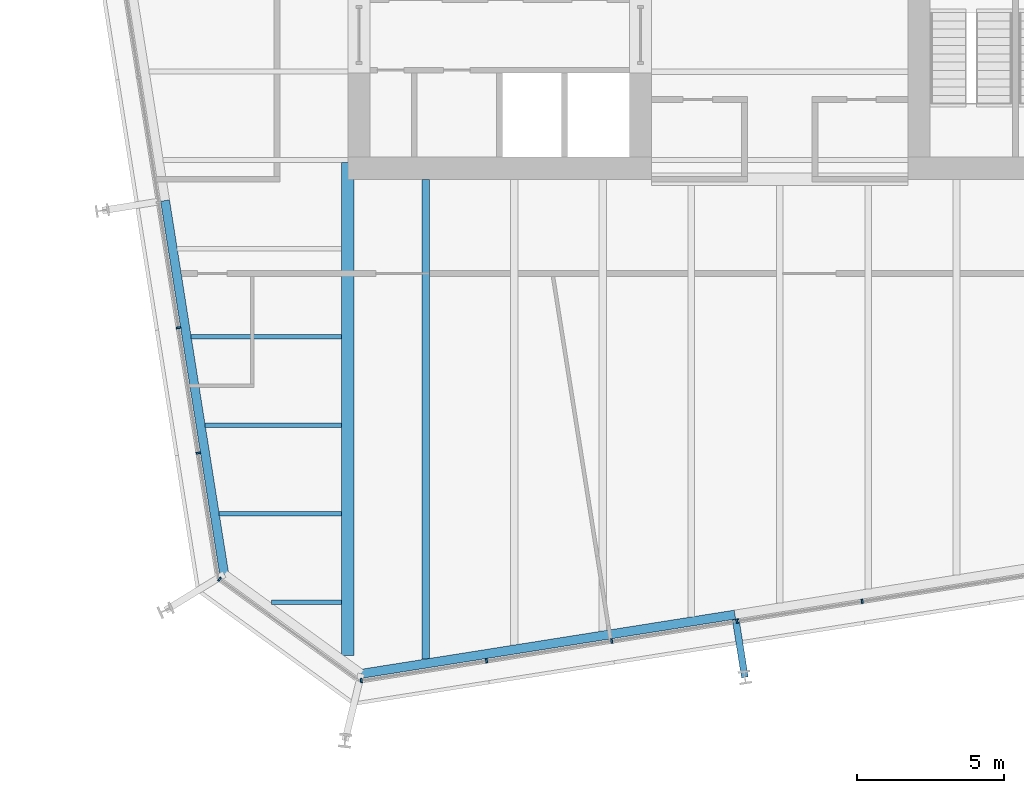
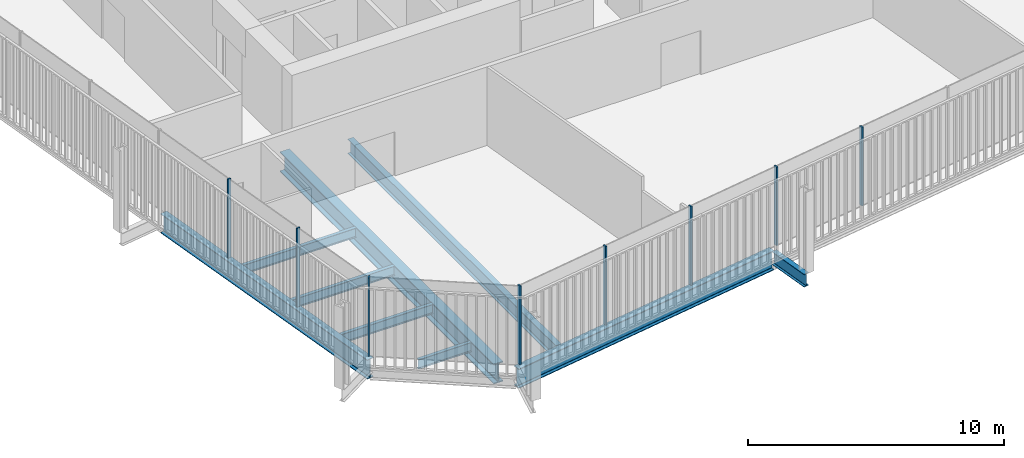
# One storey, part 2 of 21: 9 beams, 8 members, 3 elements without a shape of their own.
"""IFC4 building model written with IfcOpenShell, lengths in metres."""

import ifcopenshell
import ifcopenshell.guid

model = None  # the IFC model being written
_history = None  # IfcOwnerHistory: only IFC2X3 demands one
_inside = {}  # id of a spatial element -> (the spatial element, [elements in it])
_under = {}  # id of a project, library or spatial element -> (it, [spatial elements below it])
_declared = {}  # id of a project -> (the project, [libraries it declares])
_typed = {}  # id of a type object -> (the type object, [elements of that type])
_made_of = {}  # id of a material, layer set ... -> (it, [elements and type objects made of it])


def new_model(schema):
    """Start an empty IFC model of exactly this schema.

    Asked for "IFC4X3", IfcOpenShell would pick the latest addendum, in which some entities
    have other attributes; the version numbers below select the first issue.
    IFC2X3 requires an IfcOwnerHistory on every rooted entity: one is made here for all.
    """
    global model, _history
    if schema == "IFC4X3":
        model = ifcopenshell.file(schema_version=(4, 3, 0, 0))
    else:
        model = ifcopenshell.file(schema=schema)
    _inside.clear()
    _under.clear()
    _declared.clear()
    _typed.clear()
    _made_of.clear()
    _history = None
    if model.schema == "IFC2X3":
        org = make("IfcOrganization", Name="unknown")
        user = make(
            "IfcPersonAndOrganization",
            ThePerson=make("IfcPerson", FamilyName="unknown"),
            TheOrganization=org,
        )
        app = make(
            "IfcApplication",
            ApplicationDeveloper=org,
            Version="unknown",
            ApplicationFullName="unknown",
            ApplicationIdentifier="unknown",
        )
        _history = make(
            "IfcOwnerHistory",
            OwningUser=user,
            OwningApplication=app,
            ChangeAction="ADDED",
            CreationDate=0,
        )
    return model


def make(cls, **values):
    """One entity of the class cls with the attributes given. An attribute that is None is left unset."""
    return model.create_entity(
        cls, **{name: value for name, value in values.items() if value is not None}
    )


def rooted(cls, **values):
    """An entity with a GlobalId (a new one), such as an element, a storey or a relation."""
    return make(cls, GlobalId=ifcopenshell.guid.new(), OwnerHistory=_history, **values)


def si_unit(unit_type, name, prefix=None):
    """IfcSIUnit, for example si_unit("LENGTHUNIT", "METRE", prefix="MILLI")."""
    return make("IfcSIUnit", UnitType=unit_type, Prefix=prefix, Name=name)


def assignment(units):
    """IfcUnitAssignment: the units of a project."""
    return None if units is None else make("IfcUnitAssignment", Units=units)


def point(xyz):
    """IfcCartesianPoint."""
    return None if xyz is None else make("IfcCartesianPoint", Coordinates=xyz)


def direction(xyz):
    """IfcDirection."""
    return None if xyz is None else make("IfcDirection", DirectionRatios=xyz)


def frame(location, z_axis=None, x_axis=None):
    """IfcAxis2Placement3D, a coordinate frame: its origin and axes. An axis left out is left unset."""
    return make(
        "IfcAxis2Placement3D",
        Location=point(location),
        Axis=direction(z_axis),
        RefDirection=direction(x_axis),
    )


def frame_2d(location, x_axis=None):
    """IfcAxis2Placement2D, a coordinate frame in the plane: its origin and x axis."""
    return make(
        "IfcAxis2Placement2D", Location=point(location), RefDirection=direction(x_axis)
    )


def origin():
    """The frame at (0, 0, 0) with its axes left unset."""
    return frame((0.0, 0.0, 0.0))


def origin_2d():
    """The frame at (0, 0) in the plane with its x axis left unset."""
    return frame_2d((0.0, 0.0))


def place(relative_to, where):
    """IfcLocalPlacement: puts the frame where relative to a parent placement (None: the world)."""
    return make(
        "IfcLocalPlacement", PlacementRelTo=relative_to, RelativePlacement=where
    )


def context(
    kind, dimensions, precision=None, world=None, true_north=None, identifier=None
):
    """IfcGeometricRepresentationContext, for example the 3D "Model" context."""
    return make(
        "IfcGeometricRepresentationContext",
        ContextIdentifier=identifier,
        ContextType=kind,
        CoordinateSpaceDimension=dimensions,
        Precision=precision,
        WorldCoordinateSystem=world,
        TrueNorth=true_north,
    )


def subcontext(parent, identifier, kind, view, scale=None):
    """IfcGeometricRepresentationSubContext, for example "Body" below "Model"."""
    return make(
        "IfcGeometricRepresentationSubContext",
        ContextIdentifier=identifier,
        ContextType=kind,
        ParentContext=parent,
        TargetScale=scale,
        TargetView=view,
    )


def project(units=None, contexts=None):
    """IfcProject with its units and contexts."""
    return rooted(
        "IfcProject",
        Name="project",
        RepresentationContexts=contexts,
        UnitsInContext=assignment(units),
    )


def spatial(cls, under=None, at=None, **own):
    """A site, building, storey or space (cls), placed at a placement, below another one or the project."""
    s = rooted(cls, ObjectPlacement=at, **own)
    if under is not None:
        _under.setdefault(under.id(), (under, []))[1].append(s)
    return s


def profile(cls, at=None, kind="AREA", **sizes):
    """A parametric profile (cls). Its sizes go by their IFC names, for example OverallWidth=200.0."""
    return make(cls, ProfileType=kind, Position=at, **sizes)


def rectangle(**sizes):
    """IfcRectangleProfileDef."""
    return profile("IfcRectangleProfileDef", **sizes)


def i_section(**sizes):
    """IfcIShapeProfileDef."""
    return profile("IfcIShapeProfileDef", **sizes)


def extrude(swept, where, along, depth):
    """IfcExtrudedAreaSolid: the profile swept, set in the frame where, extruded along a direction by depth."""
    return make(
        "IfcExtrudedAreaSolid",
        SweptArea=swept,
        Position=where,
        ExtrudedDirection=direction(along),
        Depth=depth,
    )


def shape(context_of_items, identifier, shape_type, items):
    """IfcShapeRepresentation: the items that make up one representation, for example the "Body"."""
    return make(
        "IfcShapeRepresentation",
        ContextOfItems=context_of_items,
        RepresentationIdentifier=identifier,
        RepresentationType=shape_type,
        Items=items,
    )


def material(Name=None, Category=None):
    """IfcMaterial."""
    return make("IfcMaterial", Name=Name, Category=Category)


def layer(
    of_material, thickness, ventilated=None, Name=None, Category=None, Priority=None
):
    """IfcMaterialLayer: one layer of a wall or slab, of a material (None: an air gap)."""
    return make(
        "IfcMaterialLayer",
        Material=of_material,
        LayerThickness=thickness,
        IsVentilated=ventilated,
        Name=Name,
        Category=Category,
        Priority=Priority,
    )


def layer_set(layers, Name=None):
    """IfcMaterialLayerSet."""
    return make("IfcMaterialLayerSet", MaterialLayers=layers, LayerSetName=Name)


def material_profile(
    of_material, cross_section, Name=None, Category=None, Priority=None
):
    """IfcMaterialProfile: a cross section and its material."""
    return make(
        "IfcMaterialProfile",
        Name=Name,
        Material=of_material,
        Profile=cross_section,
        Priority=Priority,
        Category=Category,
    )


def profile_set(profiles, Name=None, composite=None):
    """IfcMaterialProfileSet."""
    return make(
        "IfcMaterialProfileSet",
        Name=Name,
        MaterialProfiles=profiles,
        CompositeProfile=composite,
    )


def made_of(thing, what):
    """Note that an element or type object is made of a material, layer set ...; save() writes the relation."""
    if what is not None:
        _made_of.setdefault(what.id(), (what, []))[1].append(thing)
    return thing


def type_object(cls, material=None, **own):
    """A type object (cls), such as IfcWallType, which elements share."""
    return made_of(rooted(cls, **own), material)


def element(
    cls,
    number,
    at=None,
    inside=None,
    cuts=None,
    type_object=None,
    material=None,
    context=None,
    identifier="Body",
    shape_type=None,
    held_by="IfcProductDefinitionShape",
    body=None,
    shapes=None,
    **own,
):
    """One element of the class cls, such as IfcWall. Its Tag is "e" and its number.

    at: its placement. inside: the storey or other place that contains it. cuts: it is an
    opening in that element (IfcRelVoidsElement). A single representation is given by context,
    identifier, shape_type and body (its items); several are given by shapes. held_by: the class
    of the entity that holds the representations. save() writes the other relations.
    """
    e = rooted(cls, Tag="e%d" % number, ObjectPlacement=at, **own)
    if body is not None:
        shapes = [shape(context, identifier, shape_type, body)]
    if shapes is not None:
        e.Representation = make(held_by, Representations=shapes)
    if inside is not None:
        _inside.setdefault(inside.id(), (inside, []))[1].append(e)
    if cuts is not None:
        rooted(
            "IfcRelVoidsElement", RelatingBuildingElement=cuts, RelatedOpeningElement=e
        )
    if type_object is not None:
        _typed.setdefault(type_object.id(), (type_object, []))[1].append(e)
    return made_of(e, material)


def aggregate(whole, parts):
    """IfcRelAggregates: a whole, such as a stair, and the parts it consists of."""
    return rooted("IfcRelAggregates", RelatingObject=whole, RelatedObjects=parts)


def save(model, path):
    """Write the relations noted so far, then the file.

    IfcRelAggregates (storeys below a building ...), IfcRelContainedInSpatialStructure (elements
    in a storey), IfcRelDefinesByType, IfcRelAssociatesMaterial and IfcRelDeclares: one each for
    every whole, place, type object, material and project.
    """
    for whole, parts in _under.values():
        aggregate(whole, parts)
    for where, things in _inside.values():
        rooted(
            "IfcRelContainedInSpatialStructure",
            RelatedElements=things,
            RelatingStructure=where,
        )
    for kind, things in _typed.values():
        rooted("IfcRelDefinesByType", RelatedObjects=things, RelatingType=kind)
    for what, things in _made_of.values():
        rooted("IfcRelAssociatesMaterial", RelatedObjects=things, RelatingMaterial=what)
    for by, libraries in _declared.values():
        rooted("IfcRelDeclares", RelatingContext=by, RelatedDefinitions=libraries)
    model.write(path)


model = new_model("IFC4")

# Units and contexts
model_context = context("Model", 3, precision=1e-05, world=origin(), true_north=direction((0.0, 1.0)))
body_context = subcontext(model_context, "Body", "Model", "MODEL_VIEW")
ifc_project = project(units=[si_unit("LENGTHUNIT", "METRE"), si_unit("AREAUNIT", "SQUARE_METRE"), si_unit("VOLUMEUNIT", "CUBIC_METRE"), si_unit("PLANEANGLEUNIT", "RADIAN"), si_unit("MASSUNIT", "GRAM", prefix="KILO")], contexts=[model_context])

# Site, building, storey
site_placement = place(None, origin())
site = spatial("IfcSite", under=ifc_project, at=site_placement, CompositionType="ELEMENT")
building_placement = place(site_placement, origin())
building = spatial("IfcBuilding", under=site, at=building_placement, Name="Millrace Tower", CompositionType="ELEMENT")
storey_placement = place(building_placement, frame((0.0, 0.0, 133.39990234375)))
storey = spatial("IfcBuildingStorey", under=building, at=storey_placement, Name="L29", CompositionType="ELEMENT", Elevation=133.39990234375)

# Curtain wall, member
ifc_material_1 = material(Name="Aluminium and glass", Category="aluminium")
ifc_layer = layer(ifc_material_1, 0.14990234375)
ifc_layer_set = layer_set([ifc_layer], Name="Aluminium and glass")
curtain_wall_type = type_object("IfcCurtainWallType", Name="CW-1 office vision curtain wall", PredefinedType="NOTDEFINED", material=ifc_layer_set)
placement = place(storey_placement, origin())
curtain_wall_1 = element("IfcCurtainWall", 1, at=placement, inside=storey, type_object=curtain_wall_type, Name="Curtain wall C-F01 L29", PredefinedType="NOTDEFINED")
ifc_material_2 = material(Name="Aluminium", Category="aluminium")
ifc_material_profile_1 = material_profile(ifc_material_2, rectangle(XDim=0.06494140625, YDim=0.14990234375, at=origin_2d()))
ifc_profile_set_1 = profile_set([ifc_material_profile_1], Name="Aluminium")
member_type = type_object("IfcMemberType", Name="CW-1 office vision curtain wall mullion", PredefinedType="MULLION", material=ifc_profile_set_1)
member_1_placement = place(storey_placement, frame((-19.00146484375, -23.2177734375, 0.14013671875), z_axis=(0.0, 0.0, 1.0), x_axis=(0.809016981623, -0.587785269844, 0.0)))
member_1 = element("IfcMember", 2, at=member_1_placement, type_object=member_type, Name="CW1 mullion C-F01.1", PredefinedType="MULLION", context=body_context, shape_type="SweptSolid", body=[
    extrude(rectangle(XDim=0.06494140625, YDim=0.14990234375, at=origin_2d()), origin(), (0.0, 0.0, 1.0), 3.760009765625),
])
aggregate(curtain_wall_1, [member_1])

# Curtain wall, members
curtain_wall_2 = element("IfcCurtainWall", 3, at=placement, inside=storey, type_object=curtain_wall_type, Name="Curtain wall C-F02 L29", PredefinedType="NOTDEFINED")
member_2_placement = place(storey_placement, frame((-14.191650390625, -26.65673828125, 0.14013671875), z_axis=(0.0, 0.0, 1.0), x_axis=(0.98768833929, 0.15643447328, 0.0)))
member_2 = element("IfcMember", 4, at=member_2_placement, type_object=member_type, Name="CW1 mullion C-F02.1", PredefinedType="MULLION", context=body_context, shape_type="SweptSolid", body=[
    extrude(rectangle(XDim=0.06494140625, YDim=0.14990234375, at=origin_2d()), origin(), (0.0, 0.0, 1.0), 3.760009765625),
])
member_3_placement = place(storey_placement, frame((-9.944580078125, -25.98388671875, 0.14013671875), z_axis=(0.0, 0.0, 1.0), x_axis=(0.98768833929, 0.15643447328, 0.0)))
member_3 = element("IfcMember", 5, at=member_3_placement, type_object=member_type, Name="CW1 mullion C-F02.2", PredefinedType="MULLION", context=body_context, shape_type="SweptSolid", body=[
    extrude(rectangle(XDim=0.06494140625, YDim=0.14990234375, at=origin_2d()), origin(), (0.0, 0.0, 1.0), 3.760009765625),
])
member_4_placement = place(storey_placement, frame((-5.697509765625, -25.311279296875, 0.14013671875), z_axis=(0.0, 0.0, 1.0), x_axis=(0.98768833929, 0.15643447328, 0.0)))
member_4 = element("IfcMember", 6, at=member_4_placement, type_object=member_type, Name="CW1 mullion C-F02.3", PredefinedType="MULLION", context=body_context, shape_type="SweptSolid", body=[
    extrude(rectangle(XDim=0.06494140625, YDim=0.14990234375, at=origin_2d()), origin(), (0.0, 0.0, 1.0), 3.760009765625),
])
member_5_placement = place(storey_placement, frame((-1.450439453125, -24.638671875, 0.14013671875), z_axis=(0.0, 0.0, 1.0), x_axis=(0.98768833929, 0.15643447328, 0.0)))
member_5 = element("IfcMember", 7, at=member_5_placement, type_object=member_type, Name="CW1 mullion C-F02.4", PredefinedType="MULLION", context=body_context, shape_type="SweptSolid", body=[
    extrude(rectangle(XDim=0.06494140625, YDim=0.14990234375, at=origin_2d()), origin(), (0.0, 0.0, 1.0), 3.760009765625),
])
member_6_placement = place(storey_placement, frame((2.796630859375, -23.966064453125, 0.14013671875), z_axis=(0.0, 0.0, 1.0), x_axis=(0.98768833929, 0.15643447328, 0.0)))
member_6 = element("IfcMember", 8, at=member_6_placement, type_object=member_type, Name="CW1 mullion C-F02.5", PredefinedType="MULLION", context=body_context, shape_type="SweptSolid", body=[
    extrude(rectangle(XDim=0.06494140625, YDim=0.14990234375, at=origin_2d()), origin(), (0.0, 0.0, 1.0), 3.760009765625),
])
aggregate(curtain_wall_2, [member_2, member_3, member_4, member_5, member_6])

curtain_wall_3 = element("IfcCurtainWall", 9, at=placement, inside=storey, type_object=curtain_wall_type, Name="Curtain wall C-F08 L29", PredefinedType="NOTDEFINED")
member_7_placement = place(storey_placement, frame((-20.39794921875, -14.687744140625, 0.14013671875), z_axis=(0.0, 0.0, 1.0), x_axis=(0.15643447328, -0.98768833929, 0.0)))
member_7 = element("IfcMember", 10, at=member_7_placement, type_object=member_type, Name="CW1 mullion C-F08.8", PredefinedType="MULLION", context=body_context, shape_type="SweptSolid", body=[
    extrude(rectangle(XDim=0.06494140625, YDim=0.14990234375, at=origin_2d()), origin(), (0.0, 0.0, 1.0), 3.760009765625),
])
member_8_placement = place(storey_placement, frame((-19.725341796875, -18.934814453125, 0.14013671875), z_axis=(0.0, 0.0, 1.0), x_axis=(0.15643447328, -0.98768833929, 0.0)))
member_8 = element("IfcMember", 11, at=member_8_placement, type_object=member_type, Name="CW1 mullion C-F08.9", PredefinedType="MULLION", context=body_context, shape_type="SweptSolid", body=[
    extrude(rectangle(XDim=0.06494140625, YDim=0.14990234375, at=origin_2d()), origin(), (0.0, 0.0, 1.0), 3.760009765625),
])
aggregate(curtain_wall_3, [member_7, member_8])

# Beams
ifc_material_3 = material(Name="Steel ASTM A992 Grade 50", Category="steel")
ifc_material_profile_2 = material_profile(ifc_material_3, i_section(OverallWidth=0.15234375, OverallDepth=0.449462890625, WebThickness=0.007568359375, FlangeThickness=0.0107421875, FilletRadius=0.01025390625, at=origin_2d()))
ifc_profile_set_2 = profile_set([ifc_material_profile_2], Name="Steel ASTM A992 Grade 50")
beam_type_1 = type_object("IfcBeamType", Name="Floor beam W18x35", PredefinedType="JOIST", material=ifc_profile_set_2)
beam_1_placement = place(storey_placement, frame((-19.01123046875, -21.0, -0.384765625), z_axis=(1.0, 0.0, 0.0), x_axis=(0.0, 1.0, 0.0)))
element("IfcBeam", 12, at=beam_1_placement, inside=storey, type_object=beam_type_1, Name="BM-C-L29-S1-S002", PredefinedType="JOIST", context=body_context, shape_type="SweptSolid", body=[
    extrude(i_section(OverallWidth=0.15234375, OverallDepth=0.449462890625, WebThickness=0.007568359375, FlangeThickness=0.0107421875, FilletRadius=0.01025390625, at=origin_2d()), origin(), (0.0, 0.0, 1.0), 4.151611328125),
])
beam_2_placement = place(storey_placement, frame((-19.486328125, -18.0, -0.384765625), z_axis=(1.0, 0.0, 0.0), x_axis=(0.0, 1.0, 0.0)))
element("IfcBeam", 13, at=beam_2_placement, inside=storey, type_object=beam_type_1, Name="BM-C-L29-S1-S004", PredefinedType="JOIST", context=body_context, shape_type="SweptSolid", body=[
    extrude(i_section(OverallWidth=0.15234375, OverallDepth=0.449462890625, WebThickness=0.007568359375, FlangeThickness=0.0107421875, FilletRadius=0.01025390625, at=origin_2d()), origin(), (0.0, 0.0, 1.0), 4.626708984375),
])
beam_3_placement = place(storey_placement, frame((-19.96142578125, -15.0, -0.384765625), z_axis=(1.0, 0.0, 0.0), x_axis=(0.0, 1.0, 0.0)))
element("IfcBeam", 14, at=beam_3_placement, inside=storey, type_object=beam_type_1, Name="BM-C-L29-S1-S006", PredefinedType="JOIST", context=body_context, shape_type="SweptSolid", body=[
    extrude(i_section(OverallWidth=0.15234375, OverallDepth=0.449462890625, WebThickness=0.007568359375, FlangeThickness=0.0107421875, FilletRadius=0.01025390625, at=origin_2d()), origin(), (0.0, 0.0, 1.0), 5.101806640625),
])
beam_4_placement = place(storey_placement, frame((-17.246337890625, -24.0, -0.384765625), z_axis=(1.0, 0.0, 0.0), x_axis=(0.0, 1.0, 0.0)))
element("IfcBeam", 15, at=beam_4_placement, inside=storey, type_object=beam_type_1, Name="BM-C-L29-S1-S001", PredefinedType="JOIST", context=body_context, shape_type="SweptSolid", body=[
    extrude(i_section(OverallWidth=0.15234375, OverallDepth=0.449462890625, WebThickness=0.007568359375, FlangeThickness=0.0107421875, FilletRadius=0.01025390625, at=origin_2d()), origin(), (0.0, 0.0, 1.0), 2.38671875),
])
ifc_material_4 = material(Name="Steel ASTM A992 Grade 50", Category="steel")
ifc_material_profile_3 = material_profile(ifc_material_4, i_section(OverallWidth=0.256591796875, OverallDepth=0.693359375, WebThickness=0.014404296875, FlangeThickness=0.023681640625, FilletRadius=0.01513671875, at=origin_2d()))
ifc_profile_set_3 = profile_set([ifc_material_profile_3], Name="Steel ASTM A992 Grade 50")
beam_type_2 = type_object("IfcBeamType", Name="Floor beam W27x114", PredefinedType="JOIST", material=ifc_profile_set_3)
beam_5_placement = place(storey_placement, frame((-12.0, -25.92236328125, -0.506591796875), z_axis=(0.0, 1.0, 0.0), x_axis=(-1.0, 0.0, 0.0)))
element("IfcBeam", 16, at=beam_5_placement, inside=storey, type_object=beam_type_2, Name="BM-C-L29-S1-S040", PredefinedType="JOIST", context=body_context, shape_type="SweptSolid", body=[
    extrude(i_section(OverallWidth=0.256591796875, OverallDepth=0.693359375, WebThickness=0.014404296875, FlangeThickness=0.023681640625, FilletRadius=0.01513671875, at=origin_2d()), origin(), (0.0, 0.0, 1.0), 16.2724609375),
])
ifc_material_5 = material(Name="Steel ASTM A992 Grade 50", Category="steel")
ifc_material_profile_4 = material_profile(ifc_material_5, i_section(OverallWidth=0.424072265625, OverallDepth=0.947509765625, WebThickness=0.02392578125, FlangeThickness=0.042724609375, FilletRadius=0.024169921875, at=origin_2d()))
ifc_profile_set_4 = profile_set([ifc_material_profile_4], Name="Steel ASTM A992 Grade 50")
beam_type_3 = type_object("IfcBeamType", Name="Girder medium span W36x302", PredefinedType="BEAM", material=ifc_profile_set_4)
beam_6_placement = place(storey_placement, frame((-14.64990234375, -25.806640625, -0.633544921875), z_axis=(0.0, 1.0, 0.0), x_axis=(-1.0, 0.0, 0.0)))
element("IfcBeam", 17, at=beam_6_placement, inside=storey, type_object=beam_type_3, Name="BM-C-L29-S1-G058", PredefinedType="BEAM", context=body_context, shape_type="SweptSolid", body=[
    extrude(i_section(OverallWidth=0.424072265625, OverallDepth=0.947509765625, WebThickness=0.02392578125, FlangeThickness=0.042724609375, FilletRadius=0.024169921875, at=origin_2d()), origin(), (0.0, 0.0, 1.0), 16.720703125),
])
ifc_material_6 = material(Name="Steel ASTM A992 Grade 50", Category="steel")
ifc_material_profile_5 = material_profile(ifc_material_6, i_section(OverallWidth=0.23046875, OverallDepth=0.6171875, WebThickness=0.01318359375, FlangeThickness=0.022216796875, FilletRadius=0.012939453125, at=origin_2d()))
ifc_profile_set_5 = profile_set([ifc_material_profile_5], Name="Steel ASTM A992 Grade 50")
beam_type_4 = type_object("IfcBeamType", Name="Link beam W24x94", PredefinedType="BEAM", material=ifc_profile_set_5)
beam_7_placement = place(storey_placement, frame((-1.494384765625, -24.569580078125, -0.468505859375), z_axis=(0.156476509441, -0.987681680499, 0.0), x_axis=(0.987681680499, 0.156476509441, 0.0)))
element("IfcBeam", 18, at=beam_7_placement, inside=storey, type_object=beam_type_4, Name="LNK-C-L29-S1-15", PredefinedType="BEAM", context=body_context, shape_type="SweptSolid", body=[
    extrude(i_section(OverallWidth=0.23046875, OverallDepth=0.6171875, WebThickness=0.01318359375, FlangeThickness=0.022216796875, FilletRadius=0.012939453125, at=origin_2d()), origin(), (0.0, 0.0, 1.0), 2.000244140625),
])
ifc_material_7 = material(Name="Steel ASTM A992 Grade 50", Category="steel")
ifc_material_profile_6 = material_profile(ifc_material_7, i_section(OverallWidth=0.307373046875, OverallDepth=0.927001953125, WebThickness=0.01953125, FlangeThickness=0.031982421875, FilletRadius=0.01904296875, at=origin_2d()))
ifc_profile_set_6 = profile_set([ifc_material_profile_6], Name="Steel ASTM A992 Grade 50")
beam_type_5 = type_object("IfcBeamType", Name="Ring beam medium span W36x194", PredefinedType="SPANDREL", material=ifc_profile_set_6)
beam_8_placement = place(storey_placement, frame((-18.841796875, -23.051025390625, -0.62353515625), z_axis=(-0.156436246498, 0.987688058438, 0.0), x_axis=(-0.987688058438, -0.156436246498, 0.0)))
element("IfcBeam", 19, at=beam_8_placement, inside=storey, type_object=beam_type_5, Name="RNG-C-L29-S1-01", PredefinedType="SPANDREL", context=body_context, shape_type="SweptSolid", body=[
    extrude(i_section(OverallWidth=0.307373046875, OverallDepth=0.927001953125, WebThickness=0.01953125, FlangeThickness=0.031982421875, FilletRadius=0.01904296875, at=origin_2d()), origin(), (0.0, 0.0, 1.0), 12.836181640625),
])
beam_9_placement = place(storey_placement, frame((-1.518310546875, -24.41796875, -0.62353515625), z_axis=(-0.987688523879, -0.15643330783, 0.0), x_axis=(0.15643330783, -0.987688523879, 0.0)))
element("IfcBeam", 20, at=beam_9_placement, inside=storey, type_object=beam_type_5, Name="RNG-C-L29-S1-15", PredefinedType="SPANDREL", context=body_context, shape_type="SweptSolid", body=[
    extrude(i_section(OverallWidth=0.307373046875, OverallDepth=0.927001953125, WebThickness=0.01953125, FlangeThickness=0.031982421875, FilletRadius=0.01904296875, at=origin_2d()), origin(), (0.0, 0.0, 1.0), 12.83642578125),
])

save(model, "model.ifc")
